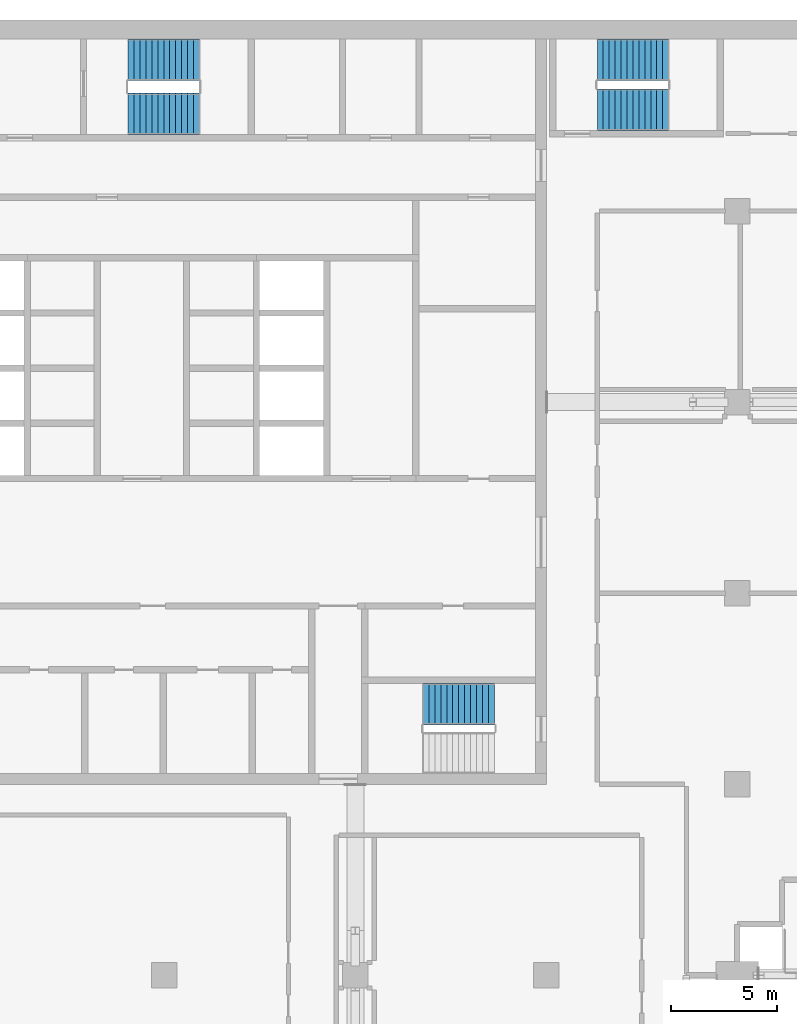
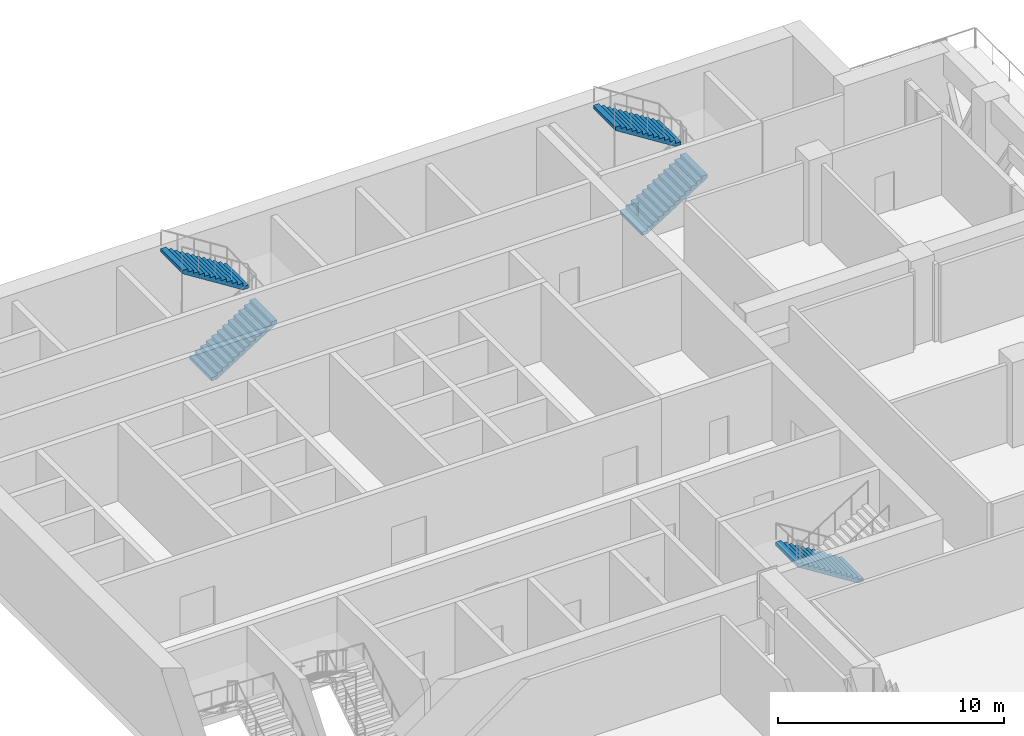
# One storey, part 13 of 20: 5 stair flights, 3 elements without a shape of their own.
"""IFC4 building model written with IfcOpenShell, lengths in metres."""

from ifc_helpers import new_model, si_unit, direction, frame, origin, place, context, subcontext, project, spatial, polyline, outline, extrude, material, type_object, element, aggregate, save


model = new_model("IFC4")

# Units and contexts
model_context = context("Model", 3, precision=1e-05, world=origin(), true_north=direction((0.0, 1.0)))
body_context = subcontext(model_context, "Body", "Model", "MODEL_VIEW")
ifc_project = project(units=[si_unit("LENGTHUNIT", "METRE"), si_unit("AREAUNIT", "SQUARE_METRE"), si_unit("VOLUMEUNIT", "CUBIC_METRE"), si_unit("PLANEANGLEUNIT", "RADIAN"), si_unit("MASSUNIT", "GRAM", prefix="KILO")], contexts=[model_context])

# Site, building, storey
site_placement = place(None, origin())
site = spatial("IfcSite", under=ifc_project, at=site_placement, CompositionType="ELEMENT")
building_placement = place(site_placement, origin())
building = spatial("IfcBuilding", under=site, at=building_placement, Name="Hunhe Ridgeline Campus", CompositionType="ELEMENT")
storey_placement = place(building_placement, frame((0.0, 0.0, 178.199951171875)))
storey = spatial("IfcBuildingStorey", under=building, at=storey_placement, Name="L45", CompositionType="ELEMENT", Elevation=178.199951171875)

# Stair, stair flights
ifc_material = material(Name="Concrete C40", Category="concrete")
stair_type = type_object("IfcStairType", Name="Reinforced concrete dog-leg stair 1950 Concrete C40", PredefinedType="HALF_TURN_STAIR", material=ifc_material)
stair_1_placement = place(storey_placement, origin())
stair_1 = element("IfcStair", 1, at=stair_1_placement, inside=storey, type_object=stair_type, Name="L45 S1", PredefinedType="HALF_TURN_STAIR")
stair_flight_type = type_object("IfcStairFlightType", Name="Reinforced concrete stair flight 1950 Concrete C40", PredefinedType="STRAIGHT", material=ifc_material)
stair_flight_1_placement = place(storey_placement, frame((16.300048828125, 94.574951171875, 0.0), z_axis=(0.0, 0.0, 1.0), x_axis=(1.0, 0.0, 0.0)))
stair_flight_1 = element("IfcStairFlight", 2, at=stair_flight_1_placement, type_object=stair_flight_type, Name="ST1 flight 1", NumberOfRisers=13, NumberOfTreads=12, PredefinedType="STRAIGHT", RiserHeight=0.176923077, TreadLength=0.28, context=body_context, shape_type="SweptSolid", body=[
    extrude(outline(polyline([(0.0, 0.0), (0.0, 0.177001953125), (0.280029296875, 0.177001953125), (0.280029296875, 0.353759765625), (0.56005859375, 0.353759765625), (0.56005859375, 0.53076171875), (0.840087890625, 0.53076171875), (0.840087890625, 0.707763671875), (1.1201171875, 0.707763671875), (1.1201171875, 0.884521484375), (1.39990234375, 0.884521484375), (1.39990234375, 1.0615234375), (1.679931640625, 1.0615234375), (1.679931640625, 1.238525390625), (1.9599609375, 1.238525390625), (1.9599609375, 1.415283203125), (2.239990234375, 1.415283203125), (2.239990234375, 1.59228515625), (2.52001953125, 1.59228515625), (2.52001953125, 1.769287109375), (2.800048828125, 1.769287109375), (2.800048828125, 1.946044921875), (3.080078125, 1.946044921875), (3.080078125, 2.123046875), (3.360107421875, 2.123046875), (3.360107421875, 2.300048828125), (3.360107421875, 1.94580078125), (0.280517578125, 0.0), (0.0, 0.0)])), frame((0.0, 0.97509765625, 0.0), z_axis=(0.0, -1.0, 0.0), x_axis=(1.0, 0.0, 0.0)), (0.0, 0.0, 1.0), 1.949951171875),
    extrude(outline(polyline([(0.030029296875, 0.030029296875), (0.030029296875, 0.14697265625), (0.31005859375, 0.14697265625), (0.31005859375, 0.32373046875), (0.590087890625, 0.32373046875), (0.590087890625, 0.500732421875), (0.8701171875, 0.500732421875), (0.8701171875, 0.677734375), (1.14990234375, 0.677734375), (1.14990234375, 0.8544921875), (1.429931640625, 0.8544921875), (1.429931640625, 1.031494140625), (1.7099609375, 1.031494140625), (1.7099609375, 1.20849609375), (1.989990234375, 1.20849609375), (1.989990234375, 1.385498046875), (2.27001953125, 1.385498046875), (2.27001953125, 1.562255859375), (2.550048828125, 1.562255859375), (2.550048828125, 1.7392578125), (2.830078125, 1.7392578125), (2.830078125, 1.916259765625), (3.110107421875, 1.916259765625), (3.110107421875, 2.093017578125), (3.330078125, 2.093017578125), (3.330078125, 1.96240234375), (0.27197265625, 0.030029296875), (0.030029296875, 0.030029296875)])), frame((0.0, -0.070068359375, 0.0), z_axis=(0.0, -1.0, 0.0), x_axis=(1.0, 0.0, 0.0)), (0.0, 0.0, 1.0), 0.019775390625),
    extrude(outline(polyline([(0.030029296875, 0.030029296875), (0.030029296875, 0.14697265625), (0.31005859375, 0.14697265625), (0.31005859375, 0.32373046875), (0.590087890625, 0.32373046875), (0.590087890625, 0.500732421875), (0.8701171875, 0.500732421875), (0.8701171875, 0.677734375), (1.14990234375, 0.677734375), (1.14990234375, 0.8544921875), (1.429931640625, 0.8544921875), (1.429931640625, 1.031494140625), (1.7099609375, 1.031494140625), (1.7099609375, 1.20849609375), (1.989990234375, 1.20849609375), (1.989990234375, 1.385498046875), (2.27001953125, 1.385498046875), (2.27001953125, 1.562255859375), (2.550048828125, 1.562255859375), (2.550048828125, 1.7392578125), (2.830078125, 1.7392578125), (2.830078125, 1.916259765625), (3.110107421875, 1.916259765625), (3.110107421875, 2.093017578125), (3.330078125, 2.093017578125), (3.330078125, 1.96240234375), (0.27197265625, 0.030029296875), (0.030029296875, 0.030029296875)])), frame((0.0, 0.010009765625, 0.0), z_axis=(0.0, -1.0, 0.0), x_axis=(1.0, 0.0, 0.0)), (0.0, 0.0, 1.0), 0.019775390625),
    extrude(outline(polyline([(0.030029296875, 0.030029296875), (0.030029296875, 0.14697265625), (0.31005859375, 0.14697265625), (0.31005859375, 0.32373046875), (0.590087890625, 0.32373046875), (0.590087890625, 0.500732421875), (0.8701171875, 0.500732421875), (0.8701171875, 0.677734375), (1.14990234375, 0.677734375), (1.14990234375, 0.8544921875), (1.429931640625, 0.8544921875), (1.429931640625, 1.031494140625), (1.7099609375, 1.031494140625), (1.7099609375, 1.20849609375), (1.989990234375, 1.20849609375), (1.989990234375, 1.385498046875), (2.27001953125, 1.385498046875), (2.27001953125, 1.562255859375), (2.550048828125, 1.562255859375), (2.550048828125, 1.7392578125), (2.830078125, 1.7392578125), (2.830078125, 1.916259765625), (3.110107421875, 1.916259765625), (3.110107421875, 2.093017578125), (3.330078125, 2.093017578125), (3.330078125, 1.96240234375), (0.27197265625, 0.030029296875), (0.030029296875, 0.030029296875)])), frame((0.0, 0.090087890625, 0.0), z_axis=(0.0, -1.0, 0.0), x_axis=(1.0, 0.0, 0.0)), (0.0, 0.0, 1.0), 0.019775390625),
])
stair_flight_2_placement = place(storey_placement, frame((19.659912109375, 97.125, 2.300048828125), z_axis=(0.0, 0.0, 1.0), x_axis=(-1.0, 0.0, 0.0)))
stair_flight_2 = element("IfcStairFlight", 3, at=stair_flight_2_placement, type_object=stair_flight_type, Name="ST1 flight 2", NumberOfRisers=13, NumberOfTreads=12, PredefinedType="STRAIGHT", RiserHeight=0.176923077, TreadLength=0.28, context=body_context, shape_type="SweptSolid", body=[
    extrude(outline(polyline([(0.0, 0.0), (0.0, 0.177001953125), (0.280029296875, 0.177001953125), (0.280029296875, 0.353759765625), (0.56005859375, 0.353759765625), (0.56005859375, 0.53076171875), (0.840087890625, 0.53076171875), (0.840087890625, 0.707763671875), (1.1201171875, 0.707763671875), (1.1201171875, 0.884521484375), (1.39990234375, 0.884521484375), (1.39990234375, 1.0615234375), (1.679931640625, 1.0615234375), (1.679931640625, 1.238525390625), (1.9599609375, 1.238525390625), (1.9599609375, 1.415283203125), (2.239990234375, 1.415283203125), (2.239990234375, 1.59228515625), (2.52001953125, 1.59228515625), (2.52001953125, 1.769287109375), (2.800048828125, 1.769287109375), (2.800048828125, 1.946044921875), (3.080078125, 1.946044921875), (3.080078125, 2.123046875), (3.360107421875, 2.123046875), (3.360107421875, 2.300048828125), (3.360107421875, 1.94580078125), (0.280517578125, 0.0), (0.0, 0.0)])), frame((0.0, 0.97509765625, 0.0), z_axis=(0.0, -1.0, 0.0), x_axis=(1.0, 0.0, 0.0)), (0.0, 0.0, 1.0), 1.949951171875),
    extrude(outline(polyline([(0.030029296875, 0.030029296875), (0.030029296875, 0.14697265625), (0.31005859375, 0.14697265625), (0.31005859375, 0.32373046875), (0.590087890625, 0.32373046875), (0.590087890625, 0.500732421875), (0.8701171875, 0.500732421875), (0.8701171875, 0.677734375), (1.14990234375, 0.677734375), (1.14990234375, 0.8544921875), (1.429931640625, 0.8544921875), (1.429931640625, 1.031494140625), (1.7099609375, 1.031494140625), (1.7099609375, 1.20849609375), (1.989990234375, 1.20849609375), (1.989990234375, 1.385498046875), (2.27001953125, 1.385498046875), (2.27001953125, 1.562255859375), (2.550048828125, 1.562255859375), (2.550048828125, 1.7392578125), (2.830078125, 1.7392578125), (2.830078125, 1.916259765625), (3.110107421875, 1.916259765625), (3.110107421875, 2.093017578125), (3.330078125, 2.093017578125), (3.330078125, 1.96240234375), (0.27197265625, 0.030029296875), (0.030029296875, 0.030029296875)])), frame((0.0, -0.070068359375, 0.0), z_axis=(0.0, -1.0, 0.0), x_axis=(1.0, 0.0, 0.0)), (0.0, 0.0, 1.0), 0.019775390625),
    extrude(outline(polyline([(0.030029296875, 0.030029296875), (0.030029296875, 0.14697265625), (0.31005859375, 0.14697265625), (0.31005859375, 0.32373046875), (0.590087890625, 0.32373046875), (0.590087890625, 0.500732421875), (0.8701171875, 0.500732421875), (0.8701171875, 0.677734375), (1.14990234375, 0.677734375), (1.14990234375, 0.8544921875), (1.429931640625, 0.8544921875), (1.429931640625, 1.031494140625), (1.7099609375, 1.031494140625), (1.7099609375, 1.20849609375), (1.989990234375, 1.20849609375), (1.989990234375, 1.385498046875), (2.27001953125, 1.385498046875), (2.27001953125, 1.562255859375), (2.550048828125, 1.562255859375), (2.550048828125, 1.7392578125), (2.830078125, 1.7392578125), (2.830078125, 1.916259765625), (3.110107421875, 1.916259765625), (3.110107421875, 2.093017578125), (3.330078125, 2.093017578125), (3.330078125, 1.96240234375), (0.27197265625, 0.030029296875), (0.030029296875, 0.030029296875)])), frame((0.0, 0.010009765625, 0.0), z_axis=(0.0, -1.0, 0.0), x_axis=(1.0, 0.0, 0.0)), (0.0, 0.0, 1.0), 0.019775390625),
    extrude(outline(polyline([(0.030029296875, 0.030029296875), (0.030029296875, 0.14697265625), (0.31005859375, 0.14697265625), (0.31005859375, 0.32373046875), (0.590087890625, 0.32373046875), (0.590087890625, 0.500732421875), (0.8701171875, 0.500732421875), (0.8701171875, 0.677734375), (1.14990234375, 0.677734375), (1.14990234375, 0.8544921875), (1.429931640625, 0.8544921875), (1.429931640625, 1.031494140625), (1.7099609375, 1.031494140625), (1.7099609375, 1.20849609375), (1.989990234375, 1.20849609375), (1.989990234375, 1.385498046875), (2.27001953125, 1.385498046875), (2.27001953125, 1.562255859375), (2.550048828125, 1.562255859375), (2.550048828125, 1.7392578125), (2.830078125, 1.7392578125), (2.830078125, 1.916259765625), (3.110107421875, 1.916259765625), (3.110107421875, 2.093017578125), (3.330078125, 2.093017578125), (3.330078125, 1.96240234375), (0.27197265625, 0.030029296875), (0.030029296875, 0.030029296875)])), frame((0.0, 0.090087890625, 0.0), z_axis=(0.0, -1.0, 0.0), x_axis=(1.0, 0.0, 0.0)), (0.0, 0.0, 1.0), 0.019775390625),
])
aggregate(stair_1, [stair_flight_1, stair_flight_2])

# Stair, stair flight
stair_2_placement = place(storey_placement, origin())
stair_2 = element("IfcStair", 4, at=stair_2_placement, inside=storey, type_object=stair_type, Name="L45 S2", PredefinedType="HALF_TURN_STAIR")
stair_flight_3_placement = place(storey_placement, frame((33.550048828125, 66.77490234375, 0.0), z_axis=(0.0, 0.0, 1.0), x_axis=(-1.0, 0.0, 0.0)))
stair_flight_3 = element("IfcStairFlight", 5, at=stair_flight_3_placement, type_object=stair_flight_type, Name="ST2 flight 1", NumberOfRisers=13, NumberOfTreads=12, PredefinedType="STRAIGHT", RiserHeight=0.176923077, TreadLength=0.28, context=body_context, shape_type="SweptSolid", body=[
    extrude(outline(polyline([(0.0, 0.0), (0.0, 0.177001953125), (0.280029296875, 0.177001953125), (0.280029296875, 0.353759765625), (0.56005859375, 0.353759765625), (0.56005859375, 0.53076171875), (0.840087890625, 0.53076171875), (0.840087890625, 0.707763671875), (1.1201171875, 0.707763671875), (1.1201171875, 0.884521484375), (1.39990234375, 0.884521484375), (1.39990234375, 1.0615234375), (1.679931640625, 1.0615234375), (1.679931640625, 1.238525390625), (1.9599609375, 1.238525390625), (1.9599609375, 1.415283203125), (2.239990234375, 1.415283203125), (2.239990234375, 1.59228515625), (2.52001953125, 1.59228515625), (2.52001953125, 1.769287109375), (2.800048828125, 1.769287109375), (2.800048828125, 1.946044921875), (3.080078125, 1.946044921875), (3.080078125, 2.123046875), (3.360107421875, 2.123046875), (3.360107421875, 2.300048828125), (3.360107421875, 1.94580078125), (0.280517578125, 0.0), (0.0, 0.0)])), frame((0.0, 0.97509765625, 0.0), z_axis=(0.0, -1.0, 0.0), x_axis=(1.0, 0.0, 0.0)), (0.0, 0.0, 1.0), 1.949951171875),
    extrude(outline(polyline([(0.030029296875, 0.030029296875), (0.030029296875, 0.14697265625), (0.31005859375, 0.14697265625), (0.31005859375, 0.32373046875), (0.590087890625, 0.32373046875), (0.590087890625, 0.500732421875), (0.8701171875, 0.500732421875), (0.8701171875, 0.677734375), (1.14990234375, 0.677734375), (1.14990234375, 0.8544921875), (1.429931640625, 0.8544921875), (1.429931640625, 1.031494140625), (1.7099609375, 1.031494140625), (1.7099609375, 1.20849609375), (1.989990234375, 1.20849609375), (1.989990234375, 1.385498046875), (2.27001953125, 1.385498046875), (2.27001953125, 1.562255859375), (2.550048828125, 1.562255859375), (2.550048828125, 1.7392578125), (2.830078125, 1.7392578125), (2.830078125, 1.916259765625), (3.110107421875, 1.916259765625), (3.110107421875, 2.093017578125), (3.330078125, 2.093017578125), (3.330078125, 1.96240234375), (0.27197265625, 0.030029296875), (0.030029296875, 0.030029296875)])), frame((0.0, -0.070068359375, 0.0), z_axis=(0.0, -1.0, 0.0), x_axis=(1.0, 0.0, 0.0)), (0.0, 0.0, 1.0), 0.019775390625),
    extrude(outline(polyline([(0.030029296875, 0.030029296875), (0.030029296875, 0.14697265625), (0.31005859375, 0.14697265625), (0.31005859375, 0.32373046875), (0.590087890625, 0.32373046875), (0.590087890625, 0.500732421875), (0.8701171875, 0.500732421875), (0.8701171875, 0.677734375), (1.14990234375, 0.677734375), (1.14990234375, 0.8544921875), (1.429931640625, 0.8544921875), (1.429931640625, 1.031494140625), (1.7099609375, 1.031494140625), (1.7099609375, 1.20849609375), (1.989990234375, 1.20849609375), (1.989990234375, 1.385498046875), (2.27001953125, 1.385498046875), (2.27001953125, 1.562255859375), (2.550048828125, 1.562255859375), (2.550048828125, 1.7392578125), (2.830078125, 1.7392578125), (2.830078125, 1.916259765625), (3.110107421875, 1.916259765625), (3.110107421875, 2.093017578125), (3.330078125, 2.093017578125), (3.330078125, 1.96240234375), (0.27197265625, 0.030029296875), (0.030029296875, 0.030029296875)])), frame((0.0, 0.010009765625, 0.0), z_axis=(0.0, -1.0, 0.0), x_axis=(1.0, 0.0, 0.0)), (0.0, 0.0, 1.0), 0.019775390625),
    extrude(outline(polyline([(0.030029296875, 0.030029296875), (0.030029296875, 0.14697265625), (0.31005859375, 0.14697265625), (0.31005859375, 0.32373046875), (0.590087890625, 0.32373046875), (0.590087890625, 0.500732421875), (0.8701171875, 0.500732421875), (0.8701171875, 0.677734375), (1.14990234375, 0.677734375), (1.14990234375, 0.8544921875), (1.429931640625, 0.8544921875), (1.429931640625, 1.031494140625), (1.7099609375, 1.031494140625), (1.7099609375, 1.20849609375), (1.989990234375, 1.20849609375), (1.989990234375, 1.385498046875), (2.27001953125, 1.385498046875), (2.27001953125, 1.562255859375), (2.550048828125, 1.562255859375), (2.550048828125, 1.7392578125), (2.830078125, 1.7392578125), (2.830078125, 1.916259765625), (3.110107421875, 1.916259765625), (3.110107421875, 2.093017578125), (3.330078125, 2.093017578125), (3.330078125, 1.96240234375), (0.27197265625, 0.030029296875), (0.030029296875, 0.030029296875)])), frame((0.0, 0.090087890625, 0.0), z_axis=(0.0, -1.0, 0.0), x_axis=(1.0, 0.0, 0.0)), (0.0, 0.0, 1.0), 0.019775390625),
])
aggregate(stair_2, [stair_flight_3])

# Stair, stair flights
stair_3_placement = place(storey_placement, origin())
stair_3 = element("IfcStair", 6, at=stair_3_placement, inside=storey, type_object=stair_type, Name="L45 E1", PredefinedType="HALF_TURN_STAIR")
stair_flight_4_placement = place(storey_placement, frame((38.39990234375, 94.77490234375, 0.0), z_axis=(0.0, 0.0, 1.0), x_axis=(1.0, 0.0, 0.0)))
stair_flight_4 = element("IfcStairFlight", 7, at=stair_flight_4_placement, type_object=stair_flight_type, Name="ST5 flight 1", NumberOfRisers=13, NumberOfTreads=12, PredefinedType="STRAIGHT", RiserHeight=0.176923077, TreadLength=0.28, context=body_context, shape_type="SweptSolid", body=[
    extrude(outline(polyline([(0.0, 0.0), (0.0, 0.177001953125), (0.280029296875, 0.177001953125), (0.280029296875, 0.353759765625), (0.56005859375, 0.353759765625), (0.56005859375, 0.53076171875), (0.840087890625, 0.53076171875), (0.840087890625, 0.707763671875), (1.1201171875, 0.707763671875), (1.1201171875, 0.884521484375), (1.39990234375, 0.884521484375), (1.39990234375, 1.0615234375), (1.679931640625, 1.0615234375), (1.679931640625, 1.238525390625), (1.9599609375, 1.238525390625), (1.9599609375, 1.415283203125), (2.239990234375, 1.415283203125), (2.239990234375, 1.59228515625), (2.52001953125, 1.59228515625), (2.52001953125, 1.769287109375), (2.800048828125, 1.769287109375), (2.800048828125, 1.946044921875), (3.080078125, 1.946044921875), (3.080078125, 2.123046875), (3.360107421875, 2.123046875), (3.360107421875, 2.300048828125), (3.360107421875, 1.94580078125), (0.280517578125, 0.0), (0.0, 0.0)])), frame((0.0, 0.97509765625, 0.0), z_axis=(0.0, -1.0, 0.0), x_axis=(1.0, 0.0, 0.0)), (0.0, 0.0, 1.0), 1.949951171875),
    extrude(outline(polyline([(0.030029296875, 0.030029296875), (0.030029296875, 0.14697265625), (0.31005859375, 0.14697265625), (0.31005859375, 0.32373046875), (0.590087890625, 0.32373046875), (0.590087890625, 0.500732421875), (0.8701171875, 0.500732421875), (0.8701171875, 0.677734375), (1.14990234375, 0.677734375), (1.14990234375, 0.8544921875), (1.429931640625, 0.8544921875), (1.429931640625, 1.031494140625), (1.7099609375, 1.031494140625), (1.7099609375, 1.20849609375), (1.989990234375, 1.20849609375), (1.989990234375, 1.385498046875), (2.27001953125, 1.385498046875), (2.27001953125, 1.562255859375), (2.550048828125, 1.562255859375), (2.550048828125, 1.7392578125), (2.830078125, 1.7392578125), (2.830078125, 1.916259765625), (3.110107421875, 1.916259765625), (3.110107421875, 2.093017578125), (3.330078125, 2.093017578125), (3.330078125, 1.96240234375), (0.27197265625, 0.030029296875), (0.030029296875, 0.030029296875)])), frame((0.0, -0.070068359375, 0.0), z_axis=(0.0, -1.0, 0.0), x_axis=(1.0, 0.0, 0.0)), (0.0, 0.0, 1.0), 0.019775390625),
    extrude(outline(polyline([(0.030029296875, 0.030029296875), (0.030029296875, 0.14697265625), (0.31005859375, 0.14697265625), (0.31005859375, 0.32373046875), (0.590087890625, 0.32373046875), (0.590087890625, 0.500732421875), (0.8701171875, 0.500732421875), (0.8701171875, 0.677734375), (1.14990234375, 0.677734375), (1.14990234375, 0.8544921875), (1.429931640625, 0.8544921875), (1.429931640625, 1.031494140625), (1.7099609375, 1.031494140625), (1.7099609375, 1.20849609375), (1.989990234375, 1.20849609375), (1.989990234375, 1.385498046875), (2.27001953125, 1.385498046875), (2.27001953125, 1.562255859375), (2.550048828125, 1.562255859375), (2.550048828125, 1.7392578125), (2.830078125, 1.7392578125), (2.830078125, 1.916259765625), (3.110107421875, 1.916259765625), (3.110107421875, 2.093017578125), (3.330078125, 2.093017578125), (3.330078125, 1.96240234375), (0.27197265625, 0.030029296875), (0.030029296875, 0.030029296875)])), frame((0.0, 0.010009765625, 0.0), z_axis=(0.0, -1.0, 0.0), x_axis=(1.0, 0.0, 0.0)), (0.0, 0.0, 1.0), 0.019775390625),
    extrude(outline(polyline([(0.030029296875, 0.030029296875), (0.030029296875, 0.14697265625), (0.31005859375, 0.14697265625), (0.31005859375, 0.32373046875), (0.590087890625, 0.32373046875), (0.590087890625, 0.500732421875), (0.8701171875, 0.500732421875), (0.8701171875, 0.677734375), (1.14990234375, 0.677734375), (1.14990234375, 0.8544921875), (1.429931640625, 0.8544921875), (1.429931640625, 1.031494140625), (1.7099609375, 1.031494140625), (1.7099609375, 1.20849609375), (1.989990234375, 1.20849609375), (1.989990234375, 1.385498046875), (2.27001953125, 1.385498046875), (2.27001953125, 1.562255859375), (2.550048828125, 1.562255859375), (2.550048828125, 1.7392578125), (2.830078125, 1.7392578125), (2.830078125, 1.916259765625), (3.110107421875, 1.916259765625), (3.110107421875, 2.093017578125), (3.330078125, 2.093017578125), (3.330078125, 1.96240234375), (0.27197265625, 0.030029296875), (0.030029296875, 0.030029296875)])), frame((0.0, 0.090087890625, 0.0), z_axis=(0.0, -1.0, 0.0), x_axis=(1.0, 0.0, 0.0)), (0.0, 0.0, 1.0), 0.019775390625),
])
stair_flight_5_placement = place(storey_placement, frame((41.760009765625, 97.125, 2.300048828125), z_axis=(0.0, 0.0, 1.0), x_axis=(-1.0, 0.0, 0.0)))
stair_flight_5 = element("IfcStairFlight", 8, at=stair_flight_5_placement, type_object=stair_flight_type, Name="ST5 flight 2", NumberOfRisers=13, NumberOfTreads=12, PredefinedType="STRAIGHT", RiserHeight=0.176923077, TreadLength=0.28, context=body_context, shape_type="SweptSolid", body=[
    extrude(outline(polyline([(0.0, 0.0), (0.0, 0.177001953125), (0.280029296875, 0.177001953125), (0.280029296875, 0.353759765625), (0.56005859375, 0.353759765625), (0.56005859375, 0.53076171875), (0.840087890625, 0.53076171875), (0.840087890625, 0.707763671875), (1.1201171875, 0.707763671875), (1.1201171875, 0.884521484375), (1.39990234375, 0.884521484375), (1.39990234375, 1.0615234375), (1.679931640625, 1.0615234375), (1.679931640625, 1.238525390625), (1.9599609375, 1.238525390625), (1.9599609375, 1.415283203125), (2.239990234375, 1.415283203125), (2.239990234375, 1.59228515625), (2.52001953125, 1.59228515625), (2.52001953125, 1.769287109375), (2.800048828125, 1.769287109375), (2.800048828125, 1.946044921875), (3.080078125, 1.946044921875), (3.080078125, 2.123046875), (3.360107421875, 2.123046875), (3.360107421875, 2.300048828125), (3.360107421875, 1.94580078125), (0.280517578125, 0.0), (0.0, 0.0)])), frame((0.0, 0.97509765625, 0.0), z_axis=(0.0, -1.0, 0.0), x_axis=(1.0, 0.0, 0.0)), (0.0, 0.0, 1.0), 1.949951171875),
    extrude(outline(polyline([(0.030029296875, 0.030029296875), (0.030029296875, 0.14697265625), (0.31005859375, 0.14697265625), (0.31005859375, 0.32373046875), (0.590087890625, 0.32373046875), (0.590087890625, 0.500732421875), (0.8701171875, 0.500732421875), (0.8701171875, 0.677734375), (1.14990234375, 0.677734375), (1.14990234375, 0.8544921875), (1.429931640625, 0.8544921875), (1.429931640625, 1.031494140625), (1.7099609375, 1.031494140625), (1.7099609375, 1.20849609375), (1.989990234375, 1.20849609375), (1.989990234375, 1.385498046875), (2.27001953125, 1.385498046875), (2.27001953125, 1.562255859375), (2.550048828125, 1.562255859375), (2.550048828125, 1.7392578125), (2.830078125, 1.7392578125), (2.830078125, 1.916259765625), (3.110107421875, 1.916259765625), (3.110107421875, 2.093017578125), (3.330078125, 2.093017578125), (3.330078125, 1.96240234375), (0.27197265625, 0.030029296875), (0.030029296875, 0.030029296875)])), frame((0.0, -0.070068359375, 0.0), z_axis=(0.0, -1.0, 0.0), x_axis=(1.0, 0.0, 0.0)), (0.0, 0.0, 1.0), 0.019775390625),
    extrude(outline(polyline([(0.030029296875, 0.030029296875), (0.030029296875, 0.14697265625), (0.31005859375, 0.14697265625), (0.31005859375, 0.32373046875), (0.590087890625, 0.32373046875), (0.590087890625, 0.500732421875), (0.8701171875, 0.500732421875), (0.8701171875, 0.677734375), (1.14990234375, 0.677734375), (1.14990234375, 0.8544921875), (1.429931640625, 0.8544921875), (1.429931640625, 1.031494140625), (1.7099609375, 1.031494140625), (1.7099609375, 1.20849609375), (1.989990234375, 1.20849609375), (1.989990234375, 1.385498046875), (2.27001953125, 1.385498046875), (2.27001953125, 1.562255859375), (2.550048828125, 1.562255859375), (2.550048828125, 1.7392578125), (2.830078125, 1.7392578125), (2.830078125, 1.916259765625), (3.110107421875, 1.916259765625), (3.110107421875, 2.093017578125), (3.330078125, 2.093017578125), (3.330078125, 1.96240234375), (0.27197265625, 0.030029296875), (0.030029296875, 0.030029296875)])), frame((0.0, 0.010009765625, 0.0), z_axis=(0.0, -1.0, 0.0), x_axis=(1.0, 0.0, 0.0)), (0.0, 0.0, 1.0), 0.019775390625),
    extrude(outline(polyline([(0.030029296875, 0.030029296875), (0.030029296875, 0.14697265625), (0.31005859375, 0.14697265625), (0.31005859375, 0.32373046875), (0.590087890625, 0.32373046875), (0.590087890625, 0.500732421875), (0.8701171875, 0.500732421875), (0.8701171875, 0.677734375), (1.14990234375, 0.677734375), (1.14990234375, 0.8544921875), (1.429931640625, 0.8544921875), (1.429931640625, 1.031494140625), (1.7099609375, 1.031494140625), (1.7099609375, 1.20849609375), (1.989990234375, 1.20849609375), (1.989990234375, 1.385498046875), (2.27001953125, 1.385498046875), (2.27001953125, 1.562255859375), (2.550048828125, 1.562255859375), (2.550048828125, 1.7392578125), (2.830078125, 1.7392578125), (2.830078125, 1.916259765625), (3.110107421875, 1.916259765625), (3.110107421875, 2.093017578125), (3.330078125, 2.093017578125), (3.330078125, 1.96240234375), (0.27197265625, 0.030029296875), (0.030029296875, 0.030029296875)])), frame((0.0, 0.090087890625, 0.0), z_axis=(0.0, -1.0, 0.0), x_axis=(1.0, 0.0, 0.0)), (0.0, 0.0, 1.0), 0.019775390625),
])
aggregate(stair_3, [stair_flight_4, stair_flight_5])

save(model, "model.ifc")
